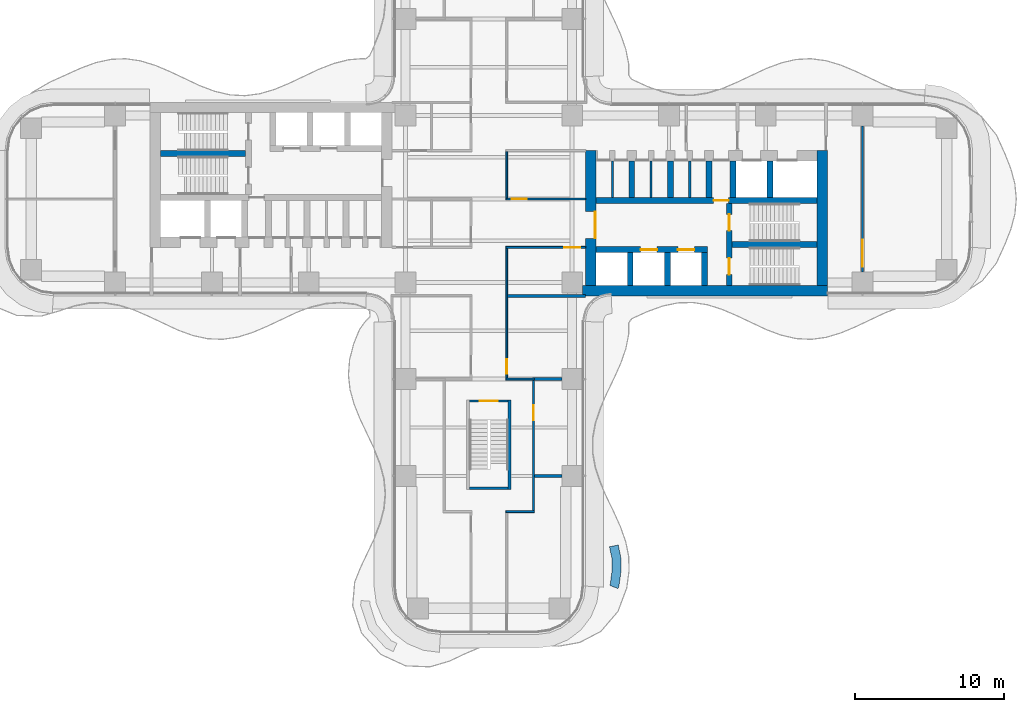
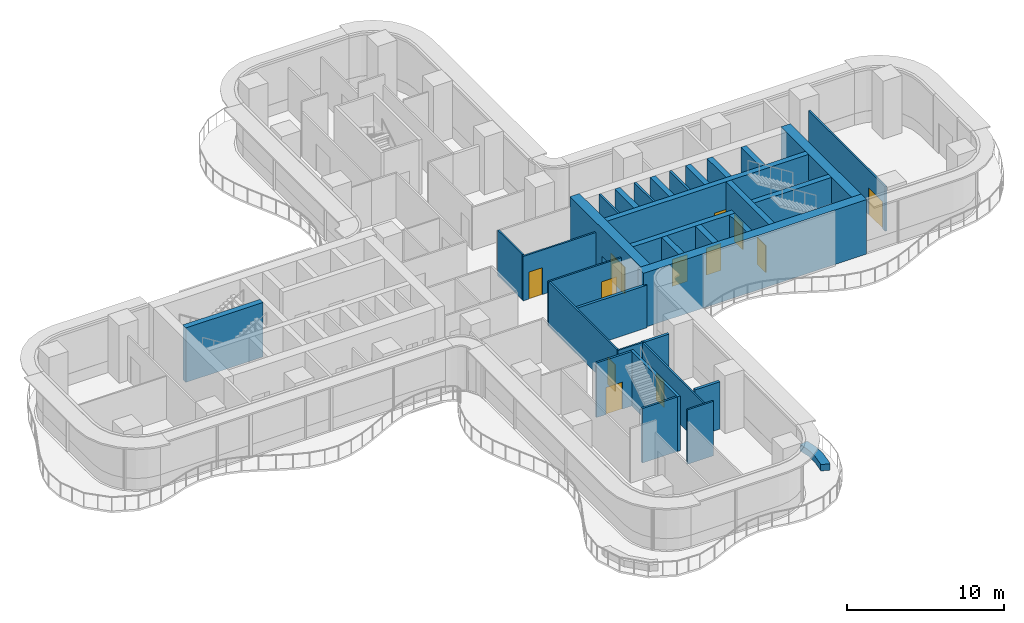
# One storey, part 18 of 22: 34 walls, 12 doors, 12 openings.
"""IFC4 building model written with IfcOpenShell, lengths in metres."""

from ifc_helpers import new_model, si_unit, direction, frame, frame_2d, origin, place, context, subcontext, project, spatial, polyline, rectangle, outline, extrude, source, transform, mapped, material, layer, layer_set, type_object, element, fill, save


model = new_model("IFC4")

# Units and contexts
model_context = context("Model", 3, precision=1e-05, world=origin(), true_north=direction((0.0, 1.0)))
body_context = subcontext(model_context, "Body", "Model", "MODEL_VIEW")
ifc_project = project(units=[si_unit("LENGTHUNIT", "METRE"), si_unit("AREAUNIT", "SQUARE_METRE"), si_unit("VOLUMEUNIT", "CUBIC_METRE"), si_unit("PLANEANGLEUNIT", "RADIAN"), si_unit("MASSUNIT", "GRAM", prefix="KILO")], contexts=[model_context])

# Site, building, storey
site_placement = place(None, origin())
site = spatial("IfcSite", under=ifc_project, at=site_placement, CompositionType="ELEMENT")
building_placement = place(site_placement, origin())
building = spatial("IfcBuilding", under=site, at=building_placement, Name="Trellis Farm Tower", CompositionType="ELEMENT")
storey_placement = place(building_placement, frame((0.0, 0.0, 79.0)))
storey = spatial("IfcBuildingStorey", under=building, at=storey_placement, Name="L16", CompositionType="ELEMENT", Elevation=79.0)

# Wall
ifc_material_1 = material(Name="Sandstone faced masonry planter", Category="masonry")
ifc_layer_1 = layer(ifc_material_1, 0.60009765625)
ifc_layer_set_1 = layer_set([ifc_layer_1], Name="PLANTER BED 600")
wall_type_1 = type_object("IfcWallType", Name="PLANTER BED 600", PredefinedType="USERDEFINED", material=ifc_layer_set_1)
wall_1_placement = place(storey_placement, origin())
element("IfcWall", 1, at=wall_1_placement, inside=storey, type_object=wall_type_1, Name="PLANTER bed", ObjectType="PLANTER", PredefinedType="USERDEFINED", context=body_context, shape_type="SweptSolid", body=[
    extrude(outline(polyline([(8.88671875, -24.944580078125), (8.74169921875, -26.00341796875), (8.680908203125, -26.165771484375), (8.119140625, -25.95458984375), (8.156494140625, -25.85546875), (8.285400390625, -24.91259765625), (8.26171875, -24.110595703125), (8.106201171875, -23.35888671875), (8.69384765625, -23.2373046875), (8.85986328125, -24.04052734375), (8.88671875, -24.944580078125)])), origin(), (0.0, 0.0, 1.0), 0.5),
])

# Wall, opening, door
ifc_material_2 = material(Name="Concrete C80/95", Category="concrete")
ifc_layer_2 = layer(ifc_material_2, 0.699951171875)
ifc_layer_set_2 = layer_set([ifc_layer_2], Name="CORE OUTER WALL 700 CONCRETE C80/95")
wall_type_2 = type_object("IfcWallType", Name="CORE OUTER WALL 700 CONCRETE C80/95", PredefinedType="SHEAR", material=ifc_layer_set_2)
shared_shape_1 = source(origin(), body_context, "Body", "SweptSolid", [
    extrude(rectangle(XDim=9.050048828125, YDim=0.699951171875, at=frame_2d((4.52490234375, 0.0))), origin(), (0.0, 0.0, 1.0), 4.25),
])
wall_2_placement = place(storey_placement, frame((6.85009765625, -5.800048828125, 0.0), z_axis=(0.0, 0.0, 1.0), x_axis=(0.0, 1.0, 0.0)))
wall_2 = element("IfcWall", 2, at=wall_2_placement, inside=storey, type_object=wall_type_2, Name="Core wall", PredefinedType="SHEAR", context=body_context, shape_type="MappedRepresentation", body=[
    mapped(shared_shape_1, transform((0.0, 0.0, 0.0))),
])
shared_shape_2 = source(origin(), body_context, "Body", "SweptSolid", [
    extrude(rectangle(XDim=1.800048828125, YDim=2.10009765625, at=frame_2d((0.89990234375, 1.050048828125))), frame((0.0, 0.360107421875, 0.0), z_axis=(0.0, -1.0, 0.0), x_axis=(1.0, 0.0, 0.0)), (0.0, 0.0, 1.0), 0.72021484375),
])
opening_1_placement = place(wall_2_placement, frame((3.14990234375, 0.0, 0.0)))
opening_1 = element("IfcOpeningElement", 3, at=opening_1_placement, cuts=wall_2, Name="Opening DC1", PredefinedType="OPENING", context=body_context, shape_type="MappedRepresentation", body=[
    mapped(shared_shape_2, transform((0.0, 0.0, 0.0))),
])
ifc_material_3 = material(Name="Steel", Category="steel")
door_type_1 = type_object("IfcDoorType", Name="CORE FIRE DOOR DOUBLE 1800 X 2100", OperationType="DOUBLE_DOOR_SINGLE_SWING", PredefinedType="DOOR", material=ifc_material_3)
shared_shape_3 = source(origin(), body_context, "Body", "SweptSolid", [
    extrude(rectangle(XDim=1.800048828125, YDim=2.10009765625, at=frame_2d((0.89990234375, 1.050048828125))), frame((0.0, -0.27490234375, 0.0), z_axis=(0.0, -1.0, 0.0), x_axis=(1.0, 0.0, 0.0)), (0.0, 0.0, 1.0), 0.050048828125),
])
door_1_placement = place(opening_1_placement, origin())
door_1 = element("IfcDoor", 4, at=door_1_placement, inside=storey, type_object=door_type_1, Name="Core door", OperationType="DOUBLE_DOOR_SINGLE_SWING", OverallHeight=2.10009765625, OverallWidth=1.800048828125, PredefinedType="DOOR", context=body_context, shape_type="MappedRepresentation", body=[
    mapped(shared_shape_3, transform((0.0, 0.0, 0.0))),
])
fill(opening_1, door_1)

# Walls
wall_3_placement = place(storey_placement, frame((22.39990234375, -5.800048828125, 0.0), z_axis=(0.0, 0.0, 1.0), x_axis=(0.0, 1.0, 0.0)))
element("IfcWall", 5, at=wall_3_placement, inside=storey, type_object=wall_type_2, Name="Core wall", PredefinedType="SHEAR", context=body_context, shape_type="MappedRepresentation", body=[
    mapped(shared_shape_1, transform((0.0, 0.0, 0.0))),
])
ifc_layer_3 = layer(ifc_material_2, 0.39990234375)
ifc_layer_set_3 = layer_set([ifc_layer_3], Name="CORE INNER WALL 400 CONCRETE C80/95")
wall_type_3 = type_object("IfcWallType", Name="CORE INNER WALL 400 CONCRETE C80/95", PredefinedType="SHEAR", material=ifc_layer_set_3)
shared_shape_4 = source(origin(), body_context, "Body", "SweptSolid", [
    extrude(rectangle(XDim=2.199951171875, YDim=0.39990234375, at=frame_2d((1.10009765625, 0.0))), origin(), (0.0, 0.0, 1.0), 4.25),
])
for number, where, z_axis, x_axis, name in (
    (6, (9.5, -5.800048828125, 0.0), (0.0, 0.0, 1.0), (0.0, 1.0, 0.0), "Core wall"),
    (7, (12.0, -5.800048828125, 0.0), (0.0, 0.0, 1.0), (0.0, 1.0, 0.0), "Core wall"),
    (8, (14.5, -5.800048828125, 0.0), (0.0, 0.0, 1.0), (0.0, 1.0, 0.0), "Core wall"),
):
    element("IfcWall", number, at=place(storey_placement, frame(where, z_axis=z_axis, x_axis=x_axis)), inside=storey, type_object=wall_type_3, Name=name, PredefinedType="SHEAR", context=body_context, shape_type="MappedRepresentation", body=[
        mapped(shared_shape_4, transform((0.0, 0.0, 0.0))),
    ])
shared_shape_5 = source(origin(), body_context, "Body", "SweptSolid", [
    extrude(rectangle(XDim=2.449951171875, YDim=0.39990234375, at=frame_2d((1.22509765625, 0.0))), origin(), (0.0, 0.0, 1.0), 4.25),
])
for number, where, z_axis, x_axis, name in (
    (9, (9.60009765625, 0.10009765625, 0.0), (0.0, 0.0, 1.0), (0.0, 1.0, 0.0), "Core wall"),
    (10, (12.199951171875, 0.10009765625, 0.0), (0.0, 0.0, 1.0), (0.0, 1.0, 0.0), "Core wall"),
    (11, (14.800048828125, 0.10009765625, 0.0), (0.0, 0.0, 1.0), (0.0, 1.0, 0.0), "Core wall"),
    (12, (16.39990234375, 0.10009765625, 0.0), (0.0, 0.0, 1.0), (0.0, 1.0, 0.0), "Core wall"),
    (13, (18.89990234375, 0.10009765625, 0.0), (0.0, 0.0, 1.0), (0.0, 1.0, 0.0), "Core wall"),
):
    element("IfcWall", number, at=place(storey_placement, frame(where, z_axis=z_axis, x_axis=x_axis)), inside=storey, type_object=wall_type_3, Name=name, PredefinedType="SHEAR", context=body_context, shape_type="MappedRepresentation", body=[
        mapped(shared_shape_5, transform((0.0, 0.0, 0.0))),
    ])
shared_shape_6 = source(origin(), body_context, "Body", "SweptSolid", [
    extrude(rectangle(XDim=16.449951171875, YDim=0.699951171875, at=frame_2d((8.22509765625, 0.0))), origin(), (0.0, 0.0, 1.0), 4.25),
])
wall_4_placement = place(storey_placement, frame((6.300048828125, -6.14990234375, 0.0), z_axis=(0.0, 0.0, 1.0), x_axis=(1.0, 0.0, 0.0)))
element("IfcWall", 14, at=wall_4_placement, inside=storey, type_object=wall_type_2, Name="Core wall", PredefinedType="SHEAR", context=body_context, shape_type="MappedRepresentation", body=[
    mapped(shared_shape_6, transform((0.0, 0.0, 0.0))),
])

# Wall, openings, doors
shared_shape_7 = source(origin(), body_context, "Body", "SweptSolid", [
    extrude(rectangle(XDim=7.5, YDim=0.39990234375, at=frame_2d((3.75, 0.0))), origin(), (0.0, 0.0, 1.0), 4.25),
])
wall_5_placement = place(storey_placement, frame((7.199951171875, -3.39990234375, 0.0), z_axis=(0.0, 0.0, 1.0), x_axis=(1.0, 0.0, 0.0)))
wall_5 = element("IfcWall", 15, at=wall_5_placement, inside=storey, type_object=wall_type_3, Name="Core wall", PredefinedType="SHEAR", context=body_context, shape_type="MappedRepresentation", body=[
    mapped(shared_shape_7, transform((0.0, 0.0, 0.0))),
])
shared_shape_8 = source(origin(), body_context, "Body", "SweptSolid", [
    extrude(rectangle(XDim=1.10009765625, YDim=2.10009765625, at=frame_2d((0.550048828125, 1.050048828125))), frame((0.0, 0.2099609375, 0.0), z_axis=(0.0, -1.0, 0.0), x_axis=(1.0, 0.0, 0.0)), (0.0, 0.0, 1.0), 0.419921875),
])
opening_2_placement = place(wall_5_placement, frame((3.0, 0.0, 0.0)))
opening_2 = element("IfcOpeningElement", 16, at=opening_2_placement, cuts=wall_5, Name="Opening LD2", PredefinedType="OPENING", context=body_context, shape_type="MappedRepresentation", body=[
    mapped(shared_shape_8, transform((0.0, 0.0, 0.0))),
])
opening_3_placement = place(wall_5_placement, frame((5.5, 0.0, 0.0)))
opening_3 = element("IfcOpeningElement", 17, at=opening_3_placement, cuts=wall_5, Name="Opening LD3", PredefinedType="OPENING", context=body_context, shape_type="MappedRepresentation", body=[
    mapped(shared_shape_8, transform((0.0, 0.0, 0.0))),
])
ifc_material_4 = material(Name="Stainless steel", Category="steel")
door_type_2 = type_object("IfcDoorType", Name="LIFT LANDING DOOR 1100 X 2100", OperationType="DOUBLE_DOOR_SLIDING", PredefinedType="DOOR", material=ifc_material_4)
shared_shape_9 = source(origin(), body_context, "Body", "SweptSolid", [
    extrude(rectangle(XDim=1.10009765625, YDim=2.10009765625, at=frame_2d((0.550048828125, 1.050048828125))), frame((0.0, 0.02490234375, 0.0), z_axis=(0.0, -1.0, 0.0), x_axis=(1.0, 0.0, 0.0)), (0.0, 0.0, 1.0), 0.050048828125),
])
door_2_placement = place(opening_2_placement, origin())
door_2 = element("IfcDoor", 18, at=door_2_placement, inside=storey, type_object=door_type_2, Name="Lift landing door", OperationType="DOUBLE_DOOR_SLIDING", OverallHeight=2.10009765625, OverallWidth=1.10009765625, PredefinedType="DOOR", context=body_context, shape_type="MappedRepresentation", body=[
    mapped(shared_shape_9, transform((0.0, 0.0, 0.0))),
])
fill(opening_2, door_2)
door_3_placement = place(opening_3_placement, origin())
door_3 = element("IfcDoor", 19, at=door_3_placement, inside=storey, type_object=door_type_2, Name="Lift landing door", OperationType="DOUBLE_DOOR_SLIDING", OverallHeight=2.10009765625, OverallWidth=1.10009765625, PredefinedType="DOOR", context=body_context, shape_type="MappedRepresentation", body=[
    mapped(shared_shape_9, transform((0.0, 0.0, 0.0))),
])
fill(opening_3, door_3)

# Wall, opening, door
shared_shape_10 = source(origin(), body_context, "Body", "SweptSolid", [
    extrude(rectangle(XDim=14.85009765625, YDim=0.39990234375, at=frame_2d((7.425048828125, 0.0))), origin(), (0.0, 0.0, 1.0), 4.25),
])
wall_6_placement = place(storey_placement, frame((7.199951171875, -0.10009765625, 0.0), z_axis=(0.0, 0.0, 1.0), x_axis=(1.0, 0.0, 0.0)))
wall_6 = element("IfcWall", 20, at=wall_6_placement, inside=storey, type_object=wall_type_3, Name="Core wall", PredefinedType="SHEAR", context=body_context, shape_type="MappedRepresentation", body=[
    mapped(shared_shape_10, transform((0.0, 0.0, 0.0))),
])
shared_shape_11 = source(origin(), body_context, "Body", "SweptSolid", [
    extrude(rectangle(XDim=1.0, YDim=2.10009765625, at=frame_2d((0.5, 1.050048828125))), frame((0.0, 0.2099609375, 0.0), z_axis=(0.0, -1.0, 0.0), x_axis=(1.0, 0.0, 0.0)), (0.0, 0.0, 1.0), 0.419921875),
])
opening_4_placement = place(wall_6_placement, frame((7.89990234375, 0.0, 0.0)))
opening_4 = element("IfcOpeningElement", 21, at=opening_4_placement, cuts=wall_6, Name="Opening DC5", PredefinedType="OPENING", context=body_context, shape_type="MappedRepresentation", body=[
    mapped(shared_shape_11, transform((0.0, 0.0, 0.0))),
])
door_type_3 = type_object("IfcDoorType", Name="CORE FIRE DOOR 1000 X 2100", OperationType="NOTDEFINED", PredefinedType="DOOR", material=ifc_material_3)
shared_shape_12 = source(origin(), body_context, "Body", "SweptSolid", [
    extrude(rectangle(XDim=1.0, YDim=2.10009765625, at=frame_2d((0.5, 1.050048828125))), frame((0.0, 0.02490234375, 0.0), z_axis=(0.0, -1.0, 0.0), x_axis=(1.0, 0.0, 0.0)), (0.0, 0.0, 1.0), 0.050048828125),
])
door_4_placement = place(opening_4_placement, origin())
door_4 = element("IfcDoor", 22, at=door_4_placement, inside=storey, type_object=door_type_3, Name="Core door", OperationType="SINGLE_SWING_RIGHT", OverallHeight=2.10009765625, OverallWidth=1.0, PredefinedType="DOOR", context=body_context, shape_type="MappedRepresentation", body=[
    mapped(shared_shape_12, transform((0.0, 0.0, 0.0))),
])
fill(opening_4, door_4)

# Wall, openings, doors
shared_shape_13 = source(origin(), body_context, "Body", "SweptSolid", [
    extrude(rectangle(XDim=5.5, YDim=0.39990234375, at=frame_2d((2.75, 0.0))), origin(), (0.0, 0.0, 1.0), 4.25),
])
wall_7_placement = place(storey_placement, frame((16.14990234375, -5.800048828125, 0.0), z_axis=(0.0, 0.0, 1.0), x_axis=(0.0, 1.0, 0.0)))
wall_7 = element("IfcWall", 23, at=wall_7_placement, inside=storey, type_object=wall_type_3, Name="Core wall", PredefinedType="SHEAR", context=body_context, shape_type="MappedRepresentation", body=[
    mapped(shared_shape_13, transform((0.0, 0.0, 0.0))),
])
opening_5_placement = place(wall_7_placement, frame((0.72509765625, 0.0, 0.0)))
opening_5 = element("IfcOpeningElement", 24, at=opening_5_placement, cuts=wall_7, Name="Opening DC2", PredefinedType="OPENING", context=body_context, shape_type="MappedRepresentation", body=[
    mapped(shared_shape_8, transform((0.0, 0.0, 0.0))),
])
opening_6_placement = place(wall_7_placement, frame((3.675048828125, 0.0, 0.0)))
opening_6 = element("IfcOpeningElement", 25, at=opening_6_placement, cuts=wall_7, Name="Opening DC3", PredefinedType="OPENING", context=body_context, shape_type="MappedRepresentation", body=[
    mapped(shared_shape_8, transform((0.0, 0.0, 0.0))),
])
door_type_4 = type_object("IfcDoorType", Name="CORE FIRE DOOR 1100 X 2100", OperationType="NOTDEFINED", PredefinedType="DOOR", material=ifc_material_3)
door_5_placement = place(opening_5_placement, origin())
door_5 = element("IfcDoor", 26, at=door_5_placement, inside=storey, type_object=door_type_4, Name="Core door", OperationType="SINGLE_SWING_RIGHT", OverallHeight=2.10009765625, OverallWidth=1.10009765625, PredefinedType="DOOR", context=body_context, shape_type="MappedRepresentation", body=[
    mapped(shared_shape_9, transform((0.0, 0.0, 0.0))),
])
fill(opening_5, door_5)
door_6_placement = place(opening_6_placement, origin())
door_6 = element("IfcDoor", 27, at=door_6_placement, inside=storey, type_object=door_type_4, Name="Core door", OperationType="SINGLE_SWING_LEFT", OverallHeight=2.10009765625, OverallWidth=1.10009765625, PredefinedType="DOOR", context=body_context, shape_type="MappedRepresentation", body=[
    mapped(shared_shape_9, transform((0.0, 0.0, 0.0))),
])
fill(opening_6, door_6)

# Walls
shared_shape_14 = source(origin(), body_context, "Body", "SweptSolid", [
    extrude(rectangle(XDim=5.699951171875, YDim=0.39990234375, at=frame_2d((2.85009765625, 0.0))), origin(), (0.0, 0.0, 1.0), 4.25),
])
for number, where, z_axis, x_axis, name in (
    (28, (16.35009765625, -3.050048828125, 0.0), (0.0, 0.0, 1.0), (1.0, 0.0, 0.0), "Core wall"),
    (29, (-16.35009765625, 3.050048828125, 0.0), (0.0, 0.0, 1.0), (-1.0, 0.0, 0.0), "Core wall"),
):
    element("IfcWall", number, at=place(storey_placement, frame(where, z_axis=z_axis, x_axis=x_axis)), inside=storey, type_object=wall_type_3, Name=name, PredefinedType="SHEAR", context=body_context, shape_type="MappedRepresentation", body=[
        mapped(shared_shape_14, transform((0.0, 0.0, 0.0))),
    ])
ifc_material_5 = material(Name="Masonry blockwork", Category="masonry")
ifc_layer_4 = layer(ifc_material_5, 0.14990234375)
ifc_layer_set_4 = layer_set([ifc_layer_4], Name="CORE PARTITION 150 BLOCKWORK")
wall_type_4 = type_object("IfcWallType", Name="CORE PARTITION 150 BLOCKWORK", PredefinedType="PARTITIONING", material=ifc_layer_set_4)
shared_shape_15 = source(origin(), body_context, "Body", "SweptSolid", [
    extrude(rectangle(XDim=2.449951171875, YDim=0.14990234375, at=frame_2d((1.22509765625, 0.0))), origin(), (0.0, 0.0, 1.0), 4.25),
])
for number, where, z_axis, x_axis, name in (
    (30, (8.300048828125, 0.10009765625, 0.0), (0.0, 0.0, 1.0), (0.0, 1.0, 0.0), "Core room partition"),
    (31, (10.89990234375, 0.10009765625, 0.0), (0.0, 0.0, 1.0), (0.0, 1.0, 0.0), "Core room partition"),
    (32, (13.5, 0.10009765625, 0.0), (0.0, 0.0, 1.0), (0.0, 1.0, 0.0), "Core room partition"),
):
    element("IfcWall", number, at=place(storey_placement, frame(where, z_axis=z_axis, x_axis=x_axis)), inside=storey, type_object=wall_type_4, Name=name, PredefinedType="PARTITIONING", context=body_context, shape_type="MappedRepresentation", body=[
        mapped(shared_shape_15, transform((0.0, 0.0, 0.0))),
    ])
ifc_layer_5 = layer(ifc_material_2, 0.199951171875)
ifc_layer_set_5 = layer_set([ifc_layer_5], Name="CORE STAIR ENCLOSURE WALL 200 CONCRETE C80/95")
wall_type_5 = type_object("IfcWallType", Name="CORE STAIR ENCLOSURE WALL 200 CONCRETE C80/95", PredefinedType="SHEAR", material=ifc_layer_set_5)
shared_shape_16 = source(origin(), body_context, "Body", "SweptSolid", [
    extrude(rectangle(XDim=6.0, YDim=0.199951171875, at=frame_2d((3.0, 0.0))), origin(), (0.0, 0.0, 1.0), 4.25),
])
wall_8_placement = place(storey_placement, frame((1.39990234375, -13.5, 0.0), z_axis=(0.0, 0.0, 1.0), x_axis=(0.0, -1.0, 0.0)))
element("IfcWall", 33, at=wall_8_placement, inside=storey, type_object=wall_type_5, Name="Stair enclosure wall", PredefinedType="SHEAR", context=body_context, shape_type="MappedRepresentation", body=[
    mapped(shared_shape_16, transform((0.0, 0.0, 0.0))),
])

# Wall, opening, door
ifc_layer_6 = layer(ifc_material_2, 0.14990234375)
ifc_layer_set_6 = layer_set([ifc_layer_6], Name="CORE STAIR ENCLOSURE WALL 150 CONCRETE C80/95")
wall_type_6 = type_object("IfcWallType", Name="CORE STAIR ENCLOSURE WALL 150 CONCRETE C80/95", PredefinedType="SHEAR", material=ifc_layer_set_6)
shared_shape_17 = source(origin(), body_context, "Body", "SweptSolid", [
    extrude(rectangle(XDim=2.60009765625, YDim=0.14990234375, at=frame_2d((1.300048828125, 0.0))), origin(), (0.0, 0.0, 1.0), 4.25),
])
wall_9_placement = place(storey_placement, frame((1.300048828125, -13.574951171875, 0.0), z_axis=(0.0, 0.0, 1.0), x_axis=(-1.0, 0.0, 0.0)))
wall_9 = element("IfcWall", 34, at=wall_9_placement, inside=storey, type_object=wall_type_6, Name="Stair enclosure wall", PredefinedType="SHEAR", context=body_context, shape_type="MappedRepresentation", body=[
    mapped(shared_shape_17, transform((0.0, 0.0, 0.0))),
])
shared_shape_18 = source(origin(), body_context, "Body", "SweptSolid", [
    extrude(rectangle(XDim=1.199951171875, YDim=2.10009765625, at=frame_2d((0.60009765625, 1.050048828125))), frame((0.0, 0.0849609375, 0.0), z_axis=(0.0, -1.0, 0.0), x_axis=(1.0, 0.0, 0.0)), (0.0, 0.0, 1.0), 0.169921875),
])
opening_7_placement = place(wall_9_placement, frame((0.699951171875, 0.0, 0.0)))
opening_7 = element("IfcOpeningElement", 35, at=opening_7_placement, cuts=wall_9, Name="Opening DC174", PredefinedType="OPENING", context=body_context, shape_type="MappedRepresentation", body=[
    mapped(shared_shape_18, transform((0.0, 0.0, 0.0))),
])
door_type_5 = type_object("IfcDoorType", Name="CORE FIRE DOOR 1200 X 2100", OperationType="NOTDEFINED", PredefinedType="DOOR", material=ifc_material_3)
shared_shape_19 = source(origin(), body_context, "Body", "SweptSolid", [
    extrude(rectangle(XDim=1.199951171875, YDim=2.10009765625, at=frame_2d((0.60009765625, 1.050048828125))), frame((0.0, 0.02490234375, 0.0), z_axis=(0.0, -1.0, 0.0), x_axis=(1.0, 0.0, 0.0)), (0.0, 0.0, 1.0), 0.050048828125),
])
door_7_placement = place(opening_7_placement, origin())
door_7 = element("IfcDoor", 36, at=door_7_placement, inside=storey, type_object=door_type_5, Name="Core door", OperationType="SINGLE_SWING_RIGHT", OverallHeight=2.10009765625, OverallWidth=1.199951171875, PredefinedType="DOOR", context=body_context, shape_type="MappedRepresentation", body=[
    mapped(shared_shape_19, transform((0.0, 0.0, 0.0))),
])
fill(opening_7, door_7)

# Walls
wall_10_placement = place(storey_placement, frame((1.300048828125, -19.425048828125, 0.0), z_axis=(0.0, 0.0, 1.0), x_axis=(-1.0, 0.0, 0.0)))
element("IfcWall", 37, at=wall_10_placement, inside=storey, type_object=wall_type_6, Name="Stair enclosure wall", PredefinedType="SHEAR", context=body_context, shape_type="MappedRepresentation", body=[
    mapped(shared_shape_17, transform((0.0, 0.0, 0.0))),
])
ifc_material_6 = material(Name="Plasterboard on steel studs, mineral wool", Category="steel")
ifc_layer_7 = layer(ifc_material_6, 0.125)
ifc_layer_set_7 = layer_set([ifc_layer_7], Name="PARTITION 125 STUD EI 60")
wall_type_7 = type_object("IfcWallType", Name="PARTITION 125 STUD EI 60", PredefinedType="PARTITIONING", material=ifc_layer_set_7)
shared_shape_20 = source(origin(), body_context, "Body", "SweptSolid", [
    extrude(rectangle(XDim=3.125, YDim=0.125, at=frame_2d((1.5625, 0.0))), origin(), (0.0, 0.0, 1.0), 3.54638671875),
])
wall_11_placement = place(storey_placement, frame((1.199951171875, 3.1875, 0.0), z_axis=(0.0, 0.0, 1.0), x_axis=(0.0, -1.0, 0.0)))
element("IfcWall", 38, at=wall_11_placement, inside=storey, type_object=wall_type_7, Name="Partition PW1", PredefinedType="PARTITIONING", context=body_context, shape_type="MappedRepresentation", body=[
    mapped(shared_shape_20, transform((0.0, 0.0, 0.0))),
])

# Wall, opening, door
shared_shape_21 = source(origin(), body_context, "Body", "SweptSolid", [
    extrude(rectangle(XDim=9.7998046875, YDim=0.125, at=frame_2d((4.89990234375, 0.0))), origin(), (0.0, 0.0, 1.0), 3.4677734375),
])
wall_12_placement = place(storey_placement, frame((25.10009765625, 4.89990234375, 0.0), z_axis=(0.0, 0.0, 1.0), x_axis=(0.0, -1.0, 0.0)))
wall_12 = element("IfcWall", 39, at=wall_12_placement, inside=storey, type_object=wall_type_7, Name="Partition PW1", PredefinedType="PARTITIONING", context=body_context, shape_type="MappedRepresentation", body=[
    mapped(shared_shape_21, transform((0.0, 0.0, 0.0))),
])
shared_shape_22 = source(origin(), body_context, "Body", "SweptSolid", [
    extrude(rectangle(XDim=1.800048828125, YDim=2.10009765625, at=frame_2d((0.89990234375, 1.050048828125))), frame((0.0, 0.072509765625, 0.0), z_axis=(0.0, -1.0, 0.0), x_axis=(1.0, 0.0, 0.0)), (0.0, 0.0, 1.0), 0.14501953125),
])
opening_8_placement = place(wall_12_placement, frame((7.64990234375, 0.0, 0.0)))
opening_8 = element("IfcOpeningElement", 40, at=opening_8_placement, cuts=wall_12, Name="Opening D201", PredefinedType="OPENING", context=body_context, shape_type="MappedRepresentation", body=[
    mapped(shared_shape_22, transform((0.0, 0.0, 0.0))),
])
ifc_material_7 = material(Name="Fire-rated timber door leaf in a hollow metal frame", Category="wood")
door_type_6 = type_object("IfcDoorType", Name="DOOR PAIR 1800x2100 FD30S", OperationType="NOTDEFINED", PredefinedType="DOOR", material=ifc_material_7)
shared_shape_23 = source(origin(), body_context, "Body", "SweptSolid", [
    extrude(rectangle(XDim=1.800048828125, YDim=2.10009765625, at=frame_2d((0.89990234375, 1.050048828125))), frame((0.0, 0.02490234375, 0.0), z_axis=(0.0, -1.0, 0.0), x_axis=(1.0, 0.0, 0.0)), (0.0, 0.0, 1.0), 0.050048828125),
])
door_8_placement = place(opening_8_placement, origin())
door_8 = element("IfcDoor", 41, at=door_8_placement, inside=storey, type_object=door_type_6, Name="Door D201", OperationType="DOUBLE_DOOR_SINGLE_SWING", OverallHeight=2.10009765625, OverallWidth=1.800048828125, PredefinedType="DOOR", context=body_context, shape_type="MappedRepresentation", body=[
    mapped(shared_shape_23, transform((0.0, 0.0, 0.0))),
])
fill(opening_8, door_8)

# Wall
shared_shape_24 = source(origin(), body_context, "Body", "SweptSolid", [
    extrude(rectangle(XDim=1.925048828125, YDim=0.125, at=frame_2d((0.96240234375, 0.0))), origin(), (0.0, 0.0, 1.0), 3.4677734375),
])
wall_13_placement = place(storey_placement, frame((1.137451171875, -12.10009765625, 0.0), z_axis=(0.0, 0.0, 1.0), x_axis=(1.0, 0.0, 0.0)))
element("IfcWall", 42, at=wall_13_placement, inside=storey, type_object=wall_type_7, Name="Partition PW1", PredefinedType="PARTITIONING", context=body_context, shape_type="MappedRepresentation", body=[
    mapped(shared_shape_24, transform((0.0, 0.0, 0.0))),
])

# Wall, opening, door
shared_shape_25 = source(origin(), body_context, "Body", "SweptSolid", [
    extrude(rectangle(XDim=5.362548828125, YDim=0.125, at=frame_2d((2.68115234375, 0.0))), origin(), (0.0, 0.0, 1.0), 3.4677734375),
])
wall_14_placement = place(storey_placement, frame((6.5, -3.25, 0.0), z_axis=(0.0, 0.0, 1.0), x_axis=(-1.0, 0.0, 0.0)))
wall_14 = element("IfcWall", 43, at=wall_14_placement, inside=storey, type_object=wall_type_7, Name="Partition PW1", PredefinedType="PARTITIONING", context=body_context, shape_type="MappedRepresentation", body=[
    mapped(shared_shape_25, transform((0.0, 0.0, 0.0))),
])
shared_shape_26 = source(origin(), body_context, "Body", "SweptSolid", [
    extrude(rectangle(XDim=1.10009765625, YDim=2.10009765625, at=frame_2d((0.550048828125, 1.050048828125))), frame((0.0, 0.072509765625, 0.0), z_axis=(0.0, -1.0, 0.0), x_axis=(1.0, 0.0, 0.0)), (0.0, 0.0, 1.0), 0.14501953125),
])
opening_9_placement = place(wall_14_placement, frame((0.35009765625, 0.0, 0.0)))
opening_9 = element("IfcOpeningElement", 44, at=opening_9_placement, cuts=wall_14, Name="Opening D501", PredefinedType="OPENING", context=body_context, shape_type="MappedRepresentation", body=[
    mapped(shared_shape_26, transform((0.0, 0.0, 0.0))),
])
door_type_7 = type_object("IfcDoorType", Name="DOOR 1100x2100 FD30S", OperationType="NOTDEFINED", PredefinedType="DOOR", material=ifc_material_7)
door_9_placement = place(opening_9_placement, origin())
door_9 = element("IfcDoor", 45, at=door_9_placement, inside=storey, type_object=door_type_7, Name="Door D501", OperationType="SINGLE_SWING_LEFT", OverallHeight=2.10009765625, OverallWidth=1.10009765625, PredefinedType="DOOR", context=body_context, shape_type="MappedRepresentation", body=[
    mapped(shared_shape_9, transform((0.0, 0.0, 0.0))),
])
fill(opening_9, door_9)

wall_15_placement = place(storey_placement, frame((6.5, 0.0, 0.0), z_axis=(0.0, 0.0, 1.0), x_axis=(-1.0, 0.0, 0.0)))
wall_15 = element("IfcWall", 46, at=wall_15_placement, inside=storey, type_object=wall_type_7, Name="Partition PW1", PredefinedType="PARTITIONING", context=body_context, shape_type="MappedRepresentation", body=[
    mapped(shared_shape_25, transform((0.0, 0.0, 0.0))),
])
shared_shape_27 = source(origin(), body_context, "Body", "SweptSolid", [
    extrude(rectangle(XDim=1.0, YDim=2.10009765625, at=frame_2d((0.5, 1.050048828125))), frame((0.0, 0.072509765625, 0.0), z_axis=(0.0, -1.0, 0.0), x_axis=(1.0, 0.0, 0.0)), (0.0, 0.0, 1.0), 0.14501953125),
])
opening_10_placement = place(wall_15_placement, frame((3.949951171875, 0.0, 0.0)))
opening_10 = element("IfcOpeningElement", 47, at=opening_10_placement, cuts=wall_15, Name="Opening D106", PredefinedType="OPENING", context=body_context, shape_type="MappedRepresentation", body=[
    mapped(shared_shape_27, transform((0.0, 0.0, 0.0))),
])
door_type_8 = type_object("IfcDoorType", Name="DOOR 1000x2100 FD30S", OperationType="NOTDEFINED", PredefinedType="DOOR", material=ifc_material_7)
door_10_placement = place(opening_10_placement, origin())
door_10 = element("IfcDoor", 48, at=door_10_placement, inside=storey, type_object=door_type_8, Name="Door D106", OperationType="SINGLE_SWING_RIGHT", OverallHeight=2.10009765625, OverallWidth=1.0, PredefinedType="DOOR", context=body_context, shape_type="MappedRepresentation", body=[
    mapped(shared_shape_12, transform((0.0, 0.0, 0.0))),
])
fill(opening_10, door_10)

# Wall
ifc_material_8 = material(Name="Lightweight blockwork, plastered", Category="masonry")
ifc_layer_8 = layer(ifc_material_8, 0.199951171875)
ifc_layer_set_8 = layer_set([ifc_layer_8], Name="BLOCK WALL 200 EI 120")
wall_type_8 = type_object("IfcWallType", Name="BLOCK WALL 200 EI 120", PredefinedType="PARTITIONING", material=ifc_layer_set_8)
shared_shape_28 = source(origin(), body_context, "Body", "SweptSolid", [
    extrude(rectangle(XDim=1.96240234375, YDim=0.199951171875, at=frame_2d((0.981201171875, 0.0))), origin(), (0.0, 0.0, 1.0), 3.4677734375),
])
wall_16_placement = place(storey_placement, frame((2.9375, -12.10009765625, 0.0), z_axis=(0.0, 0.0, 1.0), x_axis=(1.0, 0.0, 0.0)))
element("IfcWall", 49, at=wall_16_placement, inside=storey, type_object=wall_type_8, Name="Partition PW3", PredefinedType="PARTITIONING", context=body_context, shape_type="MappedRepresentation", body=[
    mapped(shared_shape_28, transform((0.0, 0.0, 0.0))),
])

# Wall, opening, door
shared_shape_29 = source(origin(), body_context, "Body", "SweptSolid", [
    extrude(rectangle(XDim=8.72509765625, YDim=0.125, at=frame_2d((4.362548828125, 0.0))), origin(), (0.0, 0.0, 1.0), 3.4677734375),
])
wall_17_placement = place(storey_placement, frame((1.199951171875, -3.3125, 0.0), z_axis=(0.0, 0.0, 1.0), x_axis=(0.0, -1.0, 0.0)))
wall_17 = element("IfcWall", 50, at=wall_17_placement, inside=storey, type_object=wall_type_7, Name="Partition PW1", PredefinedType="PARTITIONING", context=body_context, shape_type="MappedRepresentation", body=[
    mapped(shared_shape_29, transform((0.0, 0.0, 0.0))),
])
opening_11_placement = place(wall_17_placement, frame((7.4375, 0.0, 0.0)))
opening_11 = element("IfcOpeningElement", 51, at=opening_11_placement, cuts=wall_17, Name="Opening D302", PredefinedType="OPENING", context=body_context, shape_type="MappedRepresentation", body=[
    mapped(shared_shape_27, transform((0.0, 0.0, 0.0))),
])
door_type_9 = type_object("IfcDoorType", Name="DOOR 1000x2100 FD60", OperationType="NOTDEFINED", PredefinedType="DOOR", material=ifc_material_7)
door_11_placement = place(opening_11_placement, origin())
door_11 = element("IfcDoor", 52, at=door_11_placement, inside=storey, type_object=door_type_9, Name="Door D302", OperationType="SINGLE_SWING_RIGHT", OverallHeight=2.10009765625, OverallWidth=1.0, PredefinedType="DOOR", context=body_context, shape_type="MappedRepresentation", body=[
    mapped(shared_shape_12, transform((0.0, 0.0, 0.0))),
])
fill(opening_11, door_11)

# Wall
shared_shape_30 = source(origin(), body_context, "Body", "SweptSolid", [
    extrude(rectangle(XDim=5.237548828125, YDim=0.199951171875, at=frame_2d((2.61865234375, 0.0))), origin(), (0.0, 0.0, 1.0), 3.330078125),
])
wall_18_placement = place(storey_placement, frame((1.262451171875, -6.5, 0.0), z_axis=(0.0, 0.0, 1.0), x_axis=(1.0, 0.0, 0.0)))
element("IfcWall", 53, at=wall_18_placement, inside=storey, type_object=wall_type_8, Name="Partition PW3", PredefinedType="PARTITIONING", context=body_context, shape_type="MappedRepresentation", body=[
    mapped(shared_shape_30, transform((0.0, 0.0, 0.0))),
])

# Wall, opening, door
shared_shape_31 = source(origin(), body_context, "Body", "SweptSolid", [
    extrude(rectangle(XDim=8.737548828125, YDim=0.125, at=frame_2d((4.36865234375, 0.0))), origin(), (0.0, 0.0, 1.0), 3.4677734375),
])
wall_19_placement = place(storey_placement, frame((3.0, -12.199951171875, 0.0), z_axis=(0.0, 0.0, 1.0), x_axis=(0.0, -1.0, 0.0)))
wall_19 = element("IfcWall", 54, at=wall_19_placement, inside=storey, type_object=wall_type_7, Name="Partition PW1", PredefinedType="PARTITIONING", context=body_context, shape_type="MappedRepresentation", body=[
    mapped(shared_shape_31, transform((0.0, 0.0, 0.0))),
])
opening_12_placement = place(wall_19_placement, frame((1.64990234375, 0.0, 0.0)))
opening_12 = element("IfcOpeningElement", 55, at=opening_12_placement, cuts=wall_19, Name="Opening D301", PredefinedType="OPENING", context=body_context, shape_type="MappedRepresentation", body=[
    mapped(shared_shape_27, transform((0.0, 0.0, 0.0))),
])
door_12_placement = place(opening_12_placement, origin())
door_12 = element("IfcDoor", 56, at=door_12_placement, inside=storey, type_object=door_type_9, Name="Door D301", OperationType="SINGLE_SWING_LEFT", OverallHeight=2.10009765625, OverallWidth=1.0, PredefinedType="DOOR", context=body_context, shape_type="MappedRepresentation", body=[
    mapped(shared_shape_12, transform((0.0, 0.0, 0.0))),
])
fill(opening_12, door_12)

# Walls
shared_shape_32 = source(origin(), body_context, "Body", "SweptSolid", [
    extrude(rectangle(XDim=1.925048828125, YDim=0.125, at=frame_2d((0.96240234375, 0.0))), origin(), (0.0, 0.0, 1.0), 4.25),
])
wall_20_placement = place(storey_placement, frame((3.0625, -21.0, 0.0), z_axis=(0.0, 0.0, 1.0), x_axis=(-1.0, 0.0, 0.0)))
element("IfcWall", 57, at=wall_20_placement, inside=storey, type_object=wall_type_7, Name="Partition PW1", PredefinedType="PARTITIONING", context=body_context, shape_type="MappedRepresentation", body=[
    mapped(shared_shape_32, transform((0.0, 0.0, 0.0))),
])
shared_shape_33 = source(origin(), body_context, "Body", "SweptSolid", [
    extrude(rectangle(XDim=1.83740234375, YDim=0.199951171875, at=frame_2d((0.918701171875, 0.0))), origin(), (0.0, 0.0, 1.0), 3.697021484375),
])
wall_21_placement = place(storey_placement, frame((3.0625, -18.60009765625, 0.0), z_axis=(0.0, 0.0, 1.0), x_axis=(1.0, 0.0, 0.0)))
element("IfcWall", 58, at=wall_21_placement, inside=storey, type_object=wall_type_8, Name="Partition PW3", PredefinedType="PARTITIONING", context=body_context, shape_type="MappedRepresentation", body=[
    mapped(shared_shape_33, transform((0.0, 0.0, 0.0))),
])

save(model, "model.ifc")
